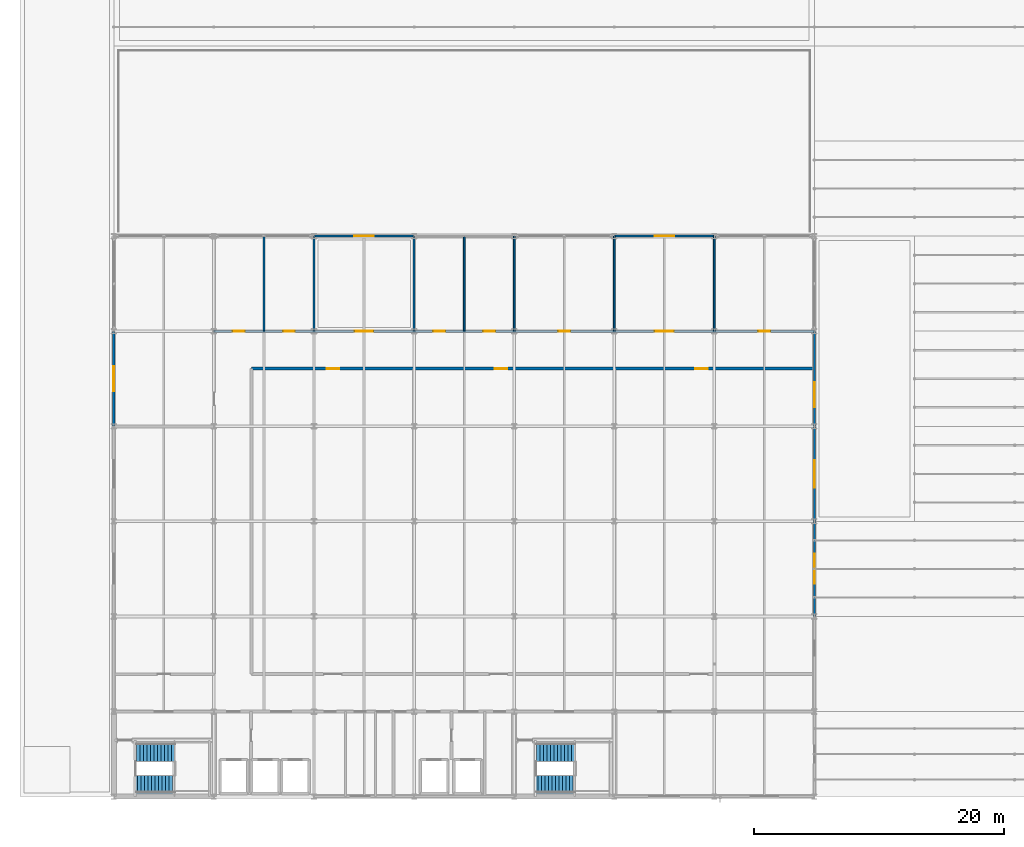
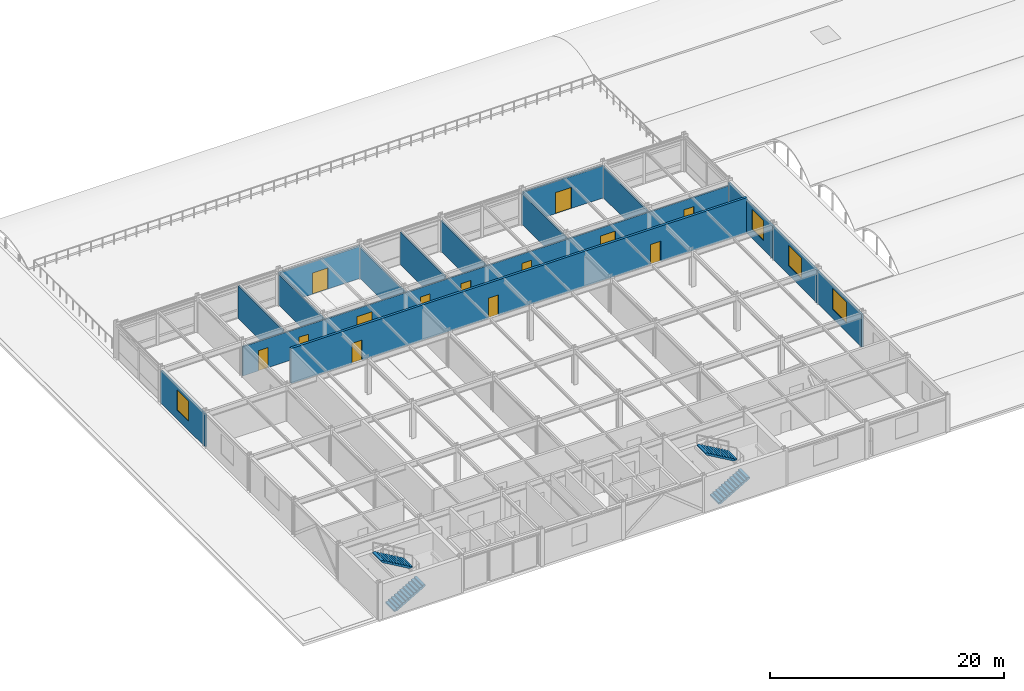
# One storey, part 42 of 46: 15 walls, 13 doors, 4 stair flights, 4 windows, 17 openings, 2 elements without a shape of their own.
"""IFC4 building model written with IfcOpenShell, lengths in metres."""

from ifc_helpers import new_model, si_unit, direction, frame, frame_2d, origin, place, context, subcontext, project, spatial, polyline, rectangle, outline, extrude, material, layer, layer_set, type_object, element, fill, aggregate, save


model = new_model("IFC4")

# Units and contexts
model_context = context("Model", 3, precision=1e-05, world=origin(), true_north=direction((0.0, 1.0)))
body_context = subcontext(model_context, "Body", "Model", "MODEL_VIEW")
ifc_project = project(units=[si_unit("LENGTHUNIT", "METRE"), si_unit("AREAUNIT", "SQUARE_METRE"), si_unit("VOLUMEUNIT", "CUBIC_METRE"), si_unit("PLANEANGLEUNIT", "RADIAN"), si_unit("MASSUNIT", "GRAM", prefix="KILO")], contexts=[model_context])

# Site, building, storey
site_placement = place(None, origin())
site = spatial("IfcSite", under=ifc_project, at=site_placement, CompositionType="ELEMENT")
building_placement = place(site_placement, origin())
building = spatial("IfcBuilding", under=site, at=building_placement, Name="Shalkamar Park Central Library", CompositionType="ELEMENT")
storey_placement = place(building_placement, frame((0.0, 0.0, 20.39990234375)))
storey = spatial("IfcBuildingStorey", under=building, at=storey_placement, Name="L05", CompositionType="ELEMENT", Elevation=20.39990234375)

# Wall, openings, doors
ifc_material_1 = material(Name="Acoustic insulated reading partition", Category="masonry")
ifc_layer_1 = layer(ifc_material_1, 0.139892578125)
ifc_layer_set_1 = layer_set([ifc_layer_1], Name="AcousticPartition_140")
wall_type_1 = type_object("IfcWallType", Name="Acoustic Partition 140", PredefinedType="PARTITIONING", material=ifc_layer_set_1)
wall_1_placement = place(storey_placement, frame((173.0, 285.60009765625, 0.0), z_axis=(0.0, 0.0, 1.0), x_axis=(1.0, 0.0, 0.0)))
wall_1 = element("IfcWall", 1, at=wall_1_placement, inside=storey, type_object=wall_type_1, Name="Interior Partition WL-INT-L05-019", PredefinedType="PARTITIONING", context=body_context, shape_type="SweptSolid", body=[
    extrude(rectangle(XDim=48.0, YDim=0.139892578125, at=frame_2d((24.0, 0.0))), origin(), (0.0, 0.0, 1.0), 3.05810546875),
])
opening_1_placement = place(wall_1_placement, frame((1.52490234375, 0.0, 0.0)))
opening_1 = element("IfcOpeningElement", 2, at=opening_1_placement, cuts=wall_1, Name="Opening DR-L05-021", PredefinedType="OPENING", context=body_context, shape_type="SweptSolid", body=[
    extrude(rectangle(XDim=0.949951171875, YDim=2.10009765625, at=frame_2d((0.47509765625, 1.050048828125))), frame((0.0, 0.0849609375, 0.0), z_axis=(0.0, -1.0, 0.0), x_axis=(1.0, 0.0, 0.0)), (0.0, 0.0, 1.0), 0.169677734375),
])
opening_2_placement = place(wall_1_placement, frame((5.52490234375, 0.0, 0.0)))
opening_2 = element("IfcOpeningElement", 3, at=opening_2_placement, cuts=wall_1, Name="Opening DR-L05-022", PredefinedType="OPENING", context=body_context, shape_type="SweptSolid", body=[
    extrude(rectangle(XDim=0.949951171875, YDim=2.10009765625, at=frame_2d((0.47509765625, 1.050048828125))), frame((0.0, 0.0849609375, 0.0), z_axis=(0.0, -1.0, 0.0), x_axis=(1.0, 0.0, 0.0)), (0.0, 0.0, 1.0), 0.169677734375),
])
opening_3_placement = place(wall_1_placement, frame((11.25, 0.0, 0.0)))
opening_3 = element("IfcOpeningElement", 4, at=opening_3_placement, cuts=wall_1, Name="Opening DR-L05-023", PredefinedType="OPENING", context=body_context, shape_type="SweptSolid", body=[
    extrude(rectangle(XDim=1.5, YDim=2.25, at=frame_2d((0.75, 1.125))), frame((0.0, 0.0849609375, 0.0), z_axis=(0.0, -1.0, 0.0), x_axis=(1.0, 0.0, 0.0)), (0.0, 0.0, 1.0), 0.169677734375),
])
opening_4_placement = place(wall_1_placement, frame((17.52490234375, 0.0, 0.0)))
opening_4 = element("IfcOpeningElement", 5, at=opening_4_placement, cuts=wall_1, Name="Opening DR-L05-024", PredefinedType="OPENING", context=body_context, shape_type="SweptSolid", body=[
    extrude(rectangle(XDim=0.949951171875, YDim=2.10009765625, at=frame_2d((0.47509765625, 1.050048828125))), frame((0.0, 0.0849609375, 0.0), z_axis=(0.0, -1.0, 0.0), x_axis=(1.0, 0.0, 0.0)), (0.0, 0.0, 1.0), 0.169677734375),
])
opening_5_placement = place(wall_1_placement, frame((21.52490234375, 0.0, 0.0)))
opening_5 = element("IfcOpeningElement", 6, at=opening_5_placement, cuts=wall_1, Name="Opening DR-L05-025", PredefinedType="OPENING", context=body_context, shape_type="SweptSolid", body=[
    extrude(rectangle(XDim=0.949951171875, YDim=2.10009765625, at=frame_2d((0.47509765625, 1.050048828125))), frame((0.0, 0.0849609375, 0.0), z_axis=(0.0, -1.0, 0.0), x_axis=(1.0, 0.0, 0.0)), (0.0, 0.0, 1.0), 0.169677734375),
])
opening_6_placement = place(wall_1_placement, frame((27.52490234375, 0.0, 0.0)))
opening_6 = element("IfcOpeningElement", 7, at=opening_6_placement, cuts=wall_1, Name="Opening DR-L05-026", PredefinedType="OPENING", context=body_context, shape_type="SweptSolid", body=[
    extrude(rectangle(XDim=0.949951171875, YDim=2.10009765625, at=frame_2d((0.47509765625, 1.050048828125))), frame((0.0, 0.0849609375, 0.0), z_axis=(0.0, -1.0, 0.0), x_axis=(1.0, 0.0, 0.0)), (0.0, 0.0, 1.0), 0.169677734375),
])
opening_7_placement = place(wall_1_placement, frame((35.25, 0.0, 0.0)))
opening_7 = element("IfcOpeningElement", 8, at=opening_7_placement, cuts=wall_1, Name="Opening DR-L05-027", PredefinedType="OPENING", context=body_context, shape_type="SweptSolid", body=[
    extrude(rectangle(XDim=1.5, YDim=2.25, at=frame_2d((0.75, 1.125))), frame((0.0, 0.0849609375, 0.0), z_axis=(0.0, -1.0, 0.0), x_axis=(1.0, 0.0, 0.0)), (0.0, 0.0, 1.0), 0.169677734375),
])
opening_8_placement = place(wall_1_placement, frame((43.52490234375, 0.0, 0.0)))
opening_8 = element("IfcOpeningElement", 9, at=opening_8_placement, cuts=wall_1, Name="Opening DR-L05-028", PredefinedType="OPENING", context=body_context, shape_type="SweptSolid", body=[
    extrude(rectangle(XDim=0.949951171875, YDim=2.10009765625, at=frame_2d((0.47509765625, 1.050048828125))), frame((0.0, 0.0849609375, 0.0), z_axis=(0.0, -1.0, 0.0), x_axis=(1.0, 0.0, 0.0)), (0.0, 0.0, 1.0), 0.169677734375),
])
ifc_material_2 = material(Name="Steel S355", Category="steel")
door_type_1 = type_object("IfcDoorType", Name="Interior Door Double 1500x2250", OperationType="DOUBLE_DOOR_SINGLE_SWING", PredefinedType="DOOR", material=ifc_material_2)
door_1_placement = place(opening_3_placement, origin())
door_1 = element("IfcDoor", 10, at=door_1_placement, inside=storey, type_object=door_type_1, Name="L05 Park View Reading Lounge West Door", OperationType="DOUBLE_DOOR_SINGLE_SWING", OverallHeight=2.25, OverallWidth=1.5, PredefinedType="DOOR", context=body_context, shape_type="SweptSolid", body=[
    extrude(rectangle(XDim=1.5, YDim=2.25, at=frame_2d((0.75, 1.125))), frame((0.0, 0.02490234375, 0.0), z_axis=(0.0, -1.0, 0.0), x_axis=(1.0, 0.0, 0.0)), (0.0, 0.0, 1.0), 0.050048828125),
])
fill(opening_3, door_1)
door_2_placement = place(opening_7_placement, origin())
door_2 = element("IfcDoor", 11, at=door_2_placement, inside=storey, type_object=door_type_1, Name="L05 Park View Reading Lounge East Door", OperationType="DOUBLE_DOOR_SINGLE_SWING", OverallHeight=2.25, OverallWidth=1.5, PredefinedType="DOOR", context=body_context, shape_type="SweptSolid", body=[
    extrude(rectangle(XDim=1.5, YDim=2.25, at=frame_2d((0.75, 1.125))), frame((0.0, 0.02490234375, 0.0), z_axis=(0.0, -1.0, 0.0), x_axis=(1.0, 0.0, 0.0)), (0.0, 0.0, 1.0), 0.050048828125),
])
fill(opening_7, door_2)
door_type_2 = type_object("IfcDoorType", Name="Interior Door Single 950x2100", OperationType="NOTDEFINED", PredefinedType="DOOR", material=ifc_material_2)
door_3_placement = place(opening_1_placement, origin())
door_3 = element("IfcDoor", 12, at=door_3_placement, inside=storey, type_object=door_type_2, Name="L05 Carrel Study 1 Door", OperationType="SINGLE_SWING_LEFT", OverallHeight=2.10009765625, OverallWidth=0.949951171875, PredefinedType="DOOR", context=body_context, shape_type="SweptSolid", body=[
    extrude(rectangle(XDim=0.949951171875, YDim=2.10009765625, at=frame_2d((0.47509765625, 1.050048828125))), frame((0.0, 0.02490234375, 0.0), z_axis=(0.0, -1.0, 0.0), x_axis=(1.0, 0.0, 0.0)), (0.0, 0.0, 1.0), 0.050048828125),
])
fill(opening_1, door_3)
door_4_placement = place(opening_2_placement, origin())
door_4 = element("IfcDoor", 13, at=door_4_placement, inside=storey, type_object=door_type_2, Name="L05 Carrel Study 2 Door", OperationType="SINGLE_SWING_LEFT", OverallHeight=2.10009765625, OverallWidth=0.949951171875, PredefinedType="DOOR", context=body_context, shape_type="SweptSolid", body=[
    extrude(rectangle(XDim=0.949951171875, YDim=2.10009765625, at=frame_2d((0.47509765625, 1.050048828125))), frame((0.0, 0.02490234375, 0.0), z_axis=(0.0, -1.0, 0.0), x_axis=(1.0, 0.0, 0.0)), (0.0, 0.0, 1.0), 0.050048828125),
])
fill(opening_2, door_4)
door_5_placement = place(opening_4_placement, origin())
door_5 = element("IfcDoor", 14, at=door_5_placement, inside=storey, type_object=door_type_2, Name="L05 Carrel Study 3 Door", OperationType="SINGLE_SWING_LEFT", OverallHeight=2.10009765625, OverallWidth=0.949951171875, PredefinedType="DOOR", context=body_context, shape_type="SweptSolid", body=[
    extrude(rectangle(XDim=0.949951171875, YDim=2.10009765625, at=frame_2d((0.47509765625, 1.050048828125))), frame((0.0, 0.02490234375, 0.0), z_axis=(0.0, -1.0, 0.0), x_axis=(1.0, 0.0, 0.0)), (0.0, 0.0, 1.0), 0.050048828125),
])
fill(opening_4, door_5)
door_6_placement = place(opening_5_placement, origin())
door_6 = element("IfcDoor", 15, at=door_6_placement, inside=storey, type_object=door_type_2, Name="L05 Carrel Study 4 Door", OperationType="SINGLE_SWING_LEFT", OverallHeight=2.10009765625, OverallWidth=0.949951171875, PredefinedType="DOOR", context=body_context, shape_type="SweptSolid", body=[
    extrude(rectangle(XDim=0.949951171875, YDim=2.10009765625, at=frame_2d((0.47509765625, 1.050048828125))), frame((0.0, 0.02490234375, 0.0), z_axis=(0.0, -1.0, 0.0), x_axis=(1.0, 0.0, 0.0)), (0.0, 0.0, 1.0), 0.050048828125),
])
fill(opening_5, door_6)
door_7_placement = place(opening_6_placement, origin())
door_7 = element("IfcDoor", 16, at=door_7_placement, inside=storey, type_object=door_type_2, Name="L05 Carrel Study 5 Door", OperationType="SINGLE_SWING_RIGHT", OverallHeight=2.10009765625, OverallWidth=0.949951171875, PredefinedType="DOOR", context=body_context, shape_type="SweptSolid", body=[
    extrude(rectangle(XDim=0.949951171875, YDim=2.10009765625, at=frame_2d((0.47509765625, 1.050048828125))), frame((0.0, 0.02490234375, 0.0), z_axis=(0.0, -1.0, 0.0), x_axis=(1.0, 0.0, 0.0)), (0.0, 0.0, 1.0), 0.050048828125),
])
fill(opening_6, door_7)
door_8_placement = place(opening_8_placement, origin())
door_8 = element("IfcDoor", 17, at=door_8_placement, inside=storey, type_object=door_type_2, Name="L05 Seminar Room Door", OperationType="SINGLE_SWING_RIGHT", OverallHeight=2.10009765625, OverallWidth=0.949951171875, PredefinedType="DOOR", context=body_context, shape_type="SweptSolid", body=[
    extrude(rectangle(XDim=0.949951171875, YDim=2.10009765625, at=frame_2d((0.47509765625, 1.050048828125))), frame((0.0, 0.02490234375, 0.0), z_axis=(0.0, -1.0, 0.0), x_axis=(1.0, 0.0, 0.0)), (0.0, 0.0, 1.0), 0.050048828125),
])
fill(opening_8, door_8)

# Walls
wall_2_placement = place(storey_placement, frame((177.0, 285.60009765625, 0.0), z_axis=(0.0, 0.0, 1.0), x_axis=(0.0, 1.0, 0.0)))
element("IfcWall", 18, at=wall_2_placement, inside=storey, type_object=wall_type_1, Name="Interior Partition WL-INT-L05-020", PredefinedType="PARTITIONING", context=body_context, shape_type="SweptSolid", body=[
    extrude(rectangle(XDim=7.599853515625, YDim=0.139892578125, at=frame_2d((3.7998046875, 0.0))), origin(), (0.0, 0.0, 1.0), 3.38818359375),
])
for number, where, z_axis, x_axis, name in (
    (19, (181.0, 285.60009765625, 0.0), (0.0, 0.0, 1.0), (0.0, 1.0, 0.0), "Interior Partition WL-INT-L05-021"),
    (20, (189.0, 285.60009765625, 0.0), (0.0, 0.0, 1.0), (0.0, 1.0, 0.0), "Interior Partition WL-INT-L05-022"),
):
    element("IfcWall", number, at=place(storey_placement, frame(where, z_axis=z_axis, x_axis=x_axis)), inside=storey, type_object=wall_type_1, Name=name, PredefinedType="PARTITIONING", context=body_context, shape_type="SweptSolid", body=[
        extrude(rectangle(XDim=7.599853515625, YDim=0.139892578125, at=frame_2d((3.7998046875, 0.0))), origin(), (0.0, 0.0, 1.0), 3.2080078125),
    ])
wall_3_placement = place(storey_placement, frame((193.0, 285.60009765625, 0.0), z_axis=(0.0, 0.0, 1.0), x_axis=(0.0, 1.0, 0.0)))
element("IfcWall", 21, at=wall_3_placement, inside=storey, type_object=wall_type_1, Name="Interior Partition WL-INT-L05-023", PredefinedType="PARTITIONING", context=body_context, shape_type="SweptSolid", body=[
    extrude(rectangle(XDim=7.599853515625, YDim=0.139892578125, at=frame_2d((3.7998046875, 0.0))), origin(), (0.0, 0.0, 1.0), 3.38818359375),
])
for number, where, z_axis, x_axis, name in (
    (22, (197.0, 285.60009765625, 0.0), (0.0, 0.0, 1.0), (0.0, 1.0, 0.0), "Interior Partition WL-INT-L05-024"),
    (23, (205.0, 285.60009765625, 0.0), (0.0, 0.0, 1.0), (0.0, 1.0, 0.0), "Interior Partition WL-INT-L05-025"),
    (24, (213.0, 285.60009765625, 0.0), (0.0, 0.0, 1.0), (0.0, 1.0, 0.0), "Interior Partition WL-INT-L05-026"),
):
    element("IfcWall", number, at=place(storey_placement, frame(where, z_axis=z_axis, x_axis=x_axis)), inside=storey, type_object=wall_type_1, Name=name, PredefinedType="PARTITIONING", context=body_context, shape_type="SweptSolid", body=[
        extrude(rectangle(XDim=7.599853515625, YDim=0.139892578125, at=frame_2d((3.7998046875, 0.0))), origin(), (0.0, 0.0, 1.0), 3.2080078125),
    ])

# Wall, openings, doors
ifc_material_3 = material(Name="Reinforced fire-compartment masonry wall", Category="masonry")
ifc_layer_2 = layer(ifc_material_3, 0.239990234375)
ifc_layer_set_2 = layer_set([ifc_layer_2], Name="CompartmentWall_240")
wall_type_2 = type_object("IfcWallType", Name="Compartment Wall 240", PredefinedType="PARTITIONING", material=ifc_layer_set_2)
wall_4_placement = place(storey_placement, frame((176.0, 282.60009765625, 0.0), z_axis=(0.0, 0.0, 1.0), x_axis=(1.0, 0.0, 0.0)))
wall_4 = element("IfcWall", 25, at=wall_4_placement, inside=storey, type_object=wall_type_2, Name="Interior Partition WL-INT-L05-016", PredefinedType="PARTITIONING", context=body_context, shape_type="SweptSolid", body=[
    extrude(rectangle(XDim=45.0, YDim=0.239990234375, at=frame_2d((22.5, 0.0))), origin(), (0.0, 0.0, 1.0), 3.66015625),
])
opening_9_placement = place(wall_4_placement, frame((6.0, 0.0, 0.0)))
opening_9 = element("IfcOpeningElement", 26, at=opening_9_placement, cuts=wall_4, Name="Opening DR-L05-018", PredefinedType="OPENING", context=body_context, shape_type="SweptSolid", body=[
    extrude(rectangle(XDim=1.0, YDim=2.10009765625, at=frame_2d((0.5, 1.050048828125))), frame((0.0, 0.134765625, 0.0), z_axis=(0.0, -1.0, 0.0), x_axis=(1.0, 0.0, 0.0)), (0.0, 0.0, 1.0), 0.269775390625),
])
opening_10_placement = place(wall_4_placement, frame((19.4599609375, 0.0, 0.0)))
opening_10 = element("IfcOpeningElement", 27, at=opening_10_placement, cuts=wall_4, Name="Opening DR-L05-019", PredefinedType="OPENING", context=body_context, shape_type="SweptSolid", body=[
    extrude(rectangle(XDim=1.0, YDim=2.10009765625, at=frame_2d((0.5, 1.050048828125))), frame((0.0, 0.134765625, 0.0), z_axis=(0.0, -1.0, 0.0), x_axis=(1.0, 0.0, 0.0)), (0.0, 0.0, 1.0), 0.269775390625),
])
opening_11_placement = place(wall_4_placement, frame((35.4599609375, 0.0, 0.0)))
opening_11 = element("IfcOpeningElement", 28, at=opening_11_placement, cuts=wall_4, Name="Opening DR-L05-020", PredefinedType="OPENING", context=body_context, shape_type="SweptSolid", body=[
    extrude(rectangle(XDim=1.0, YDim=2.10009765625, at=frame_2d((0.5, 1.050048828125))), frame((0.0, 0.134765625, 0.0), z_axis=(0.0, -1.0, 0.0), x_axis=(1.0, 0.0, 0.0)), (0.0, 0.0, 1.0), 0.269775390625),
])
door_type_3 = type_object("IfcDoorType", Name="Fire Door Single 1000x2100", OperationType="NOTDEFINED", PredefinedType="DOOR", material=ifc_material_2)
door_9_placement = place(opening_9_placement, frame((1.0, 0.0, 0.0), z_axis=(0.0, 0.0, 1.0), x_axis=(-1.0, 0.0, 0.0)))
door_9 = element("IfcDoor", 29, at=door_9_placement, inside=storey, type_object=door_type_3, Name="L05 Stacks A North Escape Door", OperationType="SINGLE_SWING_RIGHT", OverallHeight=2.10009765625, OverallWidth=1.0, PredefinedType="DOOR", context=body_context, shape_type="SweptSolid", body=[
    extrude(rectangle(XDim=1.0, YDim=2.10009765625, at=frame_2d((0.5, 1.050048828125))), frame((0.0, 0.02490234375, 0.0), z_axis=(0.0, -1.0, 0.0), x_axis=(1.0, 0.0, 0.0)), (0.0, 0.0, 1.0), 0.050048828125),
])
fill(opening_9, door_9)
door_10_placement = place(opening_10_placement, frame((1.0, 0.0, 0.0), z_axis=(0.0, 0.0, 1.0), x_axis=(-1.0, 0.0, 0.0)))
door_10 = element("IfcDoor", 30, at=door_10_placement, inside=storey, type_object=door_type_3, Name="L05 Stacks B North Escape Door", OperationType="SINGLE_SWING_RIGHT", OverallHeight=2.10009765625, OverallWidth=1.0, PredefinedType="DOOR", context=body_context, shape_type="SweptSolid", body=[
    extrude(rectangle(XDim=1.0, YDim=2.10009765625, at=frame_2d((0.5, 1.050048828125))), frame((0.0, 0.02490234375, 0.0), z_axis=(0.0, -1.0, 0.0), x_axis=(1.0, 0.0, 0.0)), (0.0, 0.0, 1.0), 0.050048828125),
])
fill(opening_10, door_10)
door_11_placement = place(opening_11_placement, frame((1.0, 0.0, 0.0), z_axis=(0.0, 0.0, 1.0), x_axis=(-1.0, 0.0, 0.0)))
door_11 = element("IfcDoor", 31, at=door_11_placement, inside=storey, type_object=door_type_3, Name="L05 Stacks C North Escape Door", OperationType="SINGLE_SWING_LEFT", OverallHeight=2.10009765625, OverallWidth=1.0, PredefinedType="DOOR", context=body_context, shape_type="SweptSolid", body=[
    extrude(rectangle(XDim=1.0, YDim=2.10009765625, at=frame_2d((0.5, 1.050048828125))), frame((0.0, 0.02490234375, 0.0), z_axis=(0.0, -1.0, 0.0), x_axis=(1.0, 0.0, 0.0)), (0.0, 0.0, 1.0), 0.050048828125),
])
fill(opening_11, door_11)

# Wall, opening, door
ifc_material_4 = material(Name="Terracotta insulated wall panel", Category="masonry")
ifc_layer_3 = layer(ifc_material_4, 0.179931640625)
ifc_layer_set_3 = layer_set([ifc_layer_3], Name="TowerSpandrelWall_180")
wall_type_3 = type_object("IfcWallType", Name="Tower Spandrel Wall 180", PredefinedType="SOLIDWALL", material=ifc_layer_set_3)
wall_5_placement = place(storey_placement, frame((181.006103515625, 293.199951171875, 0.0), z_axis=(0.0, 0.0, 1.0), x_axis=(1.0, 0.0, 0.0)))
wall_5 = element("IfcWall", 32, at=wall_5_placement, inside=storey, type_object=wall_type_3, Name="Exterior Facade Wall WL-EXT-L05-132", PredefinedType="SOLIDWALL", context=body_context, shape_type="SweptSolid", body=[
    extrude(rectangle(XDim=7.98779296875, YDim=0.179931640625, at=frame_2d((3.993896484375, 0.0))), origin(), (0.0, 0.0, 1.0), 3.34814453125),
])
opening_12_placement = place(wall_5_placement, frame((3.218994140625, 0.0, 0.0)))
opening_12 = element("IfcOpeningElement", 33, at=opening_12_placement, cuts=wall_5, Name="Opening ED-L05-039", PredefinedType="OPENING", context=body_context, shape_type="SweptSolid", body=[
    extrude(rectangle(XDim=1.550048828125, YDim=2.199951171875, at=frame_2d((0.77490234375, 1.10009765625))), frame((0.0, 0.10498046875, 0.0), z_axis=(0.0, -1.0, 0.0), x_axis=(1.0, 0.0, 0.0)), (0.0, 0.0, 1.0), 0.209716796875),
])
ifc_material_5 = material(Name="Thermally broken insulated aluminium and glazed door", Category="aluminium")
door_type_4 = type_object("IfcDoorType", Name="Setback Terrace Door 1550x2200", OperationType="DOUBLE_DOOR_SINGLE_SWING", PredefinedType="DOOR", material=ifc_material_5)
door_12_placement = place(opening_12_placement, origin())
door_12 = element("IfcDoor", 34, at=door_12_placement, inside=storey, type_object=door_type_4, Name="L05 Podium Roof Garden Door 09", OperationType="DOUBLE_DOOR_SINGLE_SWING", OverallHeight=2.199951171875, OverallWidth=1.550048828125, PredefinedType="DOOR", context=body_context, shape_type="SweptSolid", body=[
    extrude(rectangle(XDim=1.550048828125, YDim=2.199951171875, at=frame_2d((0.77490234375, 1.10009765625))), frame((0.0, 0.02490234375, 0.0), z_axis=(0.0, -1.0, 0.0), x_axis=(1.0, 0.0, 0.0)), (0.0, 0.0, 1.0), 0.050048828125),
])
fill(opening_12, door_12)

wall_6_placement = place(storey_placement, frame((205.006103515625, 293.199951171875, 0.0), z_axis=(0.0, 0.0, 1.0), x_axis=(1.0, 0.0, 0.0)))
wall_6 = element("IfcWall", 35, at=wall_6_placement, inside=storey, type_object=wall_type_3, Name="Exterior Facade Wall WL-EXT-L05-133", PredefinedType="SOLIDWALL", context=body_context, shape_type="SweptSolid", body=[
    extrude(rectangle(XDim=7.98779296875, YDim=0.179931640625, at=frame_2d((3.993896484375, 0.0))), origin(), (0.0, 0.0, 1.0), 3.34814453125),
])
opening_13_placement = place(wall_6_placement, frame((3.218994140625, 0.0, 0.0)))
opening_13 = element("IfcOpeningElement", 36, at=opening_13_placement, cuts=wall_6, Name="Opening ED-L05-040", PredefinedType="OPENING", context=body_context, shape_type="SweptSolid", body=[
    extrude(rectangle(XDim=1.550048828125, YDim=2.199951171875, at=frame_2d((0.77490234375, 1.10009765625))), frame((0.0, 0.10498046875, 0.0), z_axis=(0.0, -1.0, 0.0), x_axis=(1.0, 0.0, 0.0)), (0.0, 0.0, 1.0), 0.209716796875),
])
door_13_placement = place(opening_13_placement, origin())
door_13 = element("IfcDoor", 37, at=door_13_placement, inside=storey, type_object=door_type_4, Name="L05 Podium Roof Garden Door 12", OperationType="DOUBLE_DOOR_SINGLE_SWING", OverallHeight=2.199951171875, OverallWidth=1.550048828125, PredefinedType="DOOR", context=body_context, shape_type="SweptSolid", body=[
    extrude(rectangle(XDim=1.550048828125, YDim=2.199951171875, at=frame_2d((0.77490234375, 1.10009765625))), frame((0.0, 0.02490234375, 0.0), z_axis=(0.0, -1.0, 0.0), x_axis=(1.0, 0.0, 0.0)), (0.0, 0.0, 1.0), 0.050048828125),
])
fill(opening_13, door_13)

# Wall, opening, window
wall_7_placement = place(storey_placement, frame((165.0, 278.006103515625, 0.0), z_axis=(0.0, 0.0, 1.0), x_axis=(0.0, 1.0, 0.0)))
wall_7 = element("IfcWall", 38, at=wall_7_placement, inside=storey, type_object=wall_type_3, Name="Exterior Facade Wall WL-EXT-L05-137", PredefinedType="SOLIDWALL", context=body_context, shape_type="SweptSolid", body=[
    extrude(rectangle(XDim=7.587890625, YDim=0.179931640625, at=frame_2d((3.7939453125, 0.0))), origin(), (0.0, 0.0, 1.0), 3.38818359375),
])
opening_14_placement = place(wall_7_placement, frame((2.7939453125, 0.0, 0.949951171875)))
opening_14 = element("IfcOpeningElement", 39, at=opening_14_placement, cuts=wall_7, Name="Opening WN-11", PredefinedType="OPENING", context=body_context, shape_type="SweptSolid", body=[
    extrude(rectangle(XDim=2.0, YDim=2.10009765625, at=frame_2d((1.0, 1.050048828125))), frame((0.0, 0.10498046875, 0.0), z_axis=(0.0, -1.0, 0.0), x_axis=(1.0, 0.0, 0.0)), (0.0, 0.0, 1.0), 0.209716796875),
])
ifc_material_6 = material(Name="Thermally broken aluminium and triple low-e glass", Category="glass")
window_type_1 = type_object("IfcWindowType", Name="Tower Window 2000x2100", PartitioningType="DOUBLE_PANEL_VERTICAL", PredefinedType="WINDOW", material=ifc_material_6)
window_1_placement = place(opening_14_placement, origin())
window_1 = element("IfcWindow", 40, at=window_1_placement, inside=storey, type_object=window_type_1, Name="Facade Window WN-L05-090", OverallHeight=2.10009765625, OverallWidth=2.0, PartitioningType="DOUBLE_PANEL_VERTICAL", PredefinedType="WINDOW", context=body_context, shape_type="SweptSolid", body=[
    extrude(rectangle(XDim=2.0, YDim=2.10009765625, at=frame_2d((1.0, 1.050048828125))), frame((0.0, 0.030029296875, 0.0), z_axis=(0.0, -1.0, 0.0), x_axis=(1.0, 0.0, 0.0)), (0.0, 0.0, 1.0), 0.06005859375),
])
fill(opening_14, window_1)

wall_8_placement = place(storey_placement, frame((221.0, 262.805908203125, 0.0), z_axis=(0.0, 0.0, 1.0), x_axis=(0.0, 1.0, 0.0)))
wall_8 = element("IfcWall", 41, at=wall_8_placement, inside=storey, type_object=wall_type_3, Name="Exterior Facade Wall WL-EXT-L05-140", PredefinedType="SOLIDWALL", context=body_context, shape_type="SweptSolid", body=[
    extrude(rectangle(XDim=7.588134765625, YDim=0.179931640625, at=frame_2d((3.7939453125, 0.0))), origin(), (0.0, 0.0, 1.0), 3.38818359375),
])
opening_15_placement = place(wall_8_placement, frame((2.593994140625, 0.0, 0.949951171875)))
opening_15 = element("IfcOpeningElement", 42, at=opening_15_placement, cuts=wall_8, Name="Opening WN-09", PredefinedType="OPENING", context=body_context, shape_type="SweptSolid", body=[
    extrude(rectangle(XDim=2.39990234375, YDim=2.199951171875, at=frame_2d((1.199951171875, 1.10009765625))), frame((0.0, 0.10498046875, 0.0), z_axis=(0.0, -1.0, 0.0), x_axis=(1.0, 0.0, 0.0)), (0.0, 0.0, 1.0), 0.209716796875),
])
window_type_2 = type_object("IfcWindowType", Name="Tower Window 2400x2200", PartitioningType="DOUBLE_PANEL_VERTICAL", PredefinedType="WINDOW", material=ifc_material_6)
window_2_placement = place(opening_15_placement, origin())
window_2 = element("IfcWindow", 43, at=window_2_placement, inside=storey, type_object=window_type_2, Name="Facade Window WN-L05-093", OverallHeight=2.199951171875, OverallWidth=2.39990234375, PartitioningType="DOUBLE_PANEL_VERTICAL", PredefinedType="WINDOW", context=body_context, shape_type="SweptSolid", body=[
    extrude(rectangle(XDim=2.39990234375, YDim=2.199951171875, at=frame_2d((1.199951171875, 1.10009765625))), frame((0.0, 0.030029296875, 0.0), z_axis=(0.0, -1.0, 0.0), x_axis=(1.0, 0.0, 0.0)), (0.0, 0.0, 1.0), 0.06005859375),
])
fill(opening_15, window_2)

wall_9_placement = place(storey_placement, frame((221.0, 270.406005859375, 0.0), z_axis=(0.0, 0.0, 1.0), x_axis=(0.0, 1.0, 0.0)))
wall_9 = element("IfcWall", 44, at=wall_9_placement, inside=storey, type_object=wall_type_3, Name="Exterior Facade Wall WL-EXT-L05-141", PredefinedType="SOLIDWALL", context=body_context, shape_type="SweptSolid", body=[
    extrude(rectangle(XDim=7.587890625, YDim=0.179931640625, at=frame_2d((3.7939453125, 0.0))), origin(), (0.0, 0.0, 1.0), 3.38818359375),
])
opening_16_placement = place(wall_9_placement, frame((2.694091796875, 0.0, 0.949951171875)))
opening_16 = element("IfcOpeningElement", 45, at=opening_16_placement, cuts=wall_9, Name="Opening WN-10", PredefinedType="OPENING", context=body_context, shape_type="SweptSolid", body=[
    extrude(rectangle(XDim=2.199951171875, YDim=2.10009765625, at=frame_2d((1.10009765625, 1.050048828125))), frame((0.0, 0.10498046875, 0.0), z_axis=(0.0, -1.0, 0.0), x_axis=(1.0, 0.0, 0.0)), (0.0, 0.0, 1.0), 0.209716796875),
])
window_type_3 = type_object("IfcWindowType", Name="Tower Window 2200x2100", PartitioningType="DOUBLE_PANEL_VERTICAL", PredefinedType="WINDOW", material=ifc_material_6)
window_3_placement = place(opening_16_placement, origin())
window_3 = element("IfcWindow", 46, at=window_3_placement, inside=storey, type_object=window_type_3, Name="Facade Window WN-L05-094", OverallHeight=2.10009765625, OverallWidth=2.199951171875, PartitioningType="DOUBLE_PANEL_VERTICAL", PredefinedType="WINDOW", context=body_context, shape_type="SweptSolid", body=[
    extrude(rectangle(XDim=2.199951171875, YDim=2.10009765625, at=frame_2d((1.10009765625, 1.050048828125))), frame((0.0, 0.030029296875, 0.0), z_axis=(0.0, -1.0, 0.0), x_axis=(1.0, 0.0, 0.0)), (0.0, 0.0, 1.0), 0.06005859375),
])
fill(opening_16, window_3)

wall_10_placement = place(storey_placement, frame((221.0, 278.006103515625, 0.0), z_axis=(0.0, 0.0, 1.0), x_axis=(0.0, 1.0, 0.0)))
wall_10 = element("IfcWall", 47, at=wall_10_placement, inside=storey, type_object=wall_type_3, Name="Exterior Facade Wall WL-EXT-L05-142", PredefinedType="SOLIDWALL", context=body_context, shape_type="SweptSolid", body=[
    extrude(rectangle(XDim=7.587890625, YDim=0.179931640625, at=frame_2d((3.7939453125, 0.0))), origin(), (0.0, 0.0, 1.0), 3.38818359375),
])
opening_17_placement = place(wall_10_placement, frame((1.52197265625, 0.0, 0.949951171875)))
opening_17 = element("IfcOpeningElement", 48, at=opening_17_placement, cuts=wall_10, Name="Opening WN-11", PredefinedType="OPENING", context=body_context, shape_type="SweptSolid", body=[
    extrude(rectangle(XDim=2.0, YDim=2.10009765625, at=frame_2d((1.0, 1.050048828125))), frame((0.0, 0.10498046875, 0.0), z_axis=(0.0, -1.0, 0.0), x_axis=(1.0, 0.0, 0.0)), (0.0, 0.0, 1.0), 0.209716796875),
])
window_4_placement = place(opening_17_placement, origin())
window_4 = element("IfcWindow", 49, at=window_4_placement, inside=storey, type_object=window_type_1, Name="Facade Window WN-L05-095", OverallHeight=2.10009765625, OverallWidth=2.0, PartitioningType="DOUBLE_PANEL_VERTICAL", PredefinedType="WINDOW", context=body_context, shape_type="SweptSolid", body=[
    extrude(rectangle(XDim=2.0, YDim=2.10009765625, at=frame_2d((1.0, 1.050048828125))), frame((0.0, 0.030029296875, 0.0), z_axis=(0.0, -1.0, 0.0), x_axis=(1.0, 0.0, 0.0)), (0.0, 0.0, 1.0), 0.06005859375),
])
fill(opening_17, window_4)

# Stair, stair flights
ifc_material_7 = material(Name="Concrete C35/45", Category="concrete")
stair_type = type_object("IfcStairType", Name="Protected Dog Leg Stair 150x390", PredefinedType="TWO_STRAIGHT_RUN_STAIR", material=ifc_material_7)
stair_1_placement = place(storey_placement, origin())
stair_1 = element("IfcStair", 50, at=stair_1_placement, inside=storey, type_object=stair_type, Name="Protected Core Stair ST-T1-L05", PredefinedType="TWO_STRAIGHT_RUN_STAIR")
stair_flight_type = type_object("IfcStairFlightType", Name="Straight Stair Flight 150x390", PredefinedType="STRAIGHT", material=ifc_material_7)
stair_flight_1_placement = place(storey_placement, frame((166.6201171875, 249.389892578125, 0.0), z_axis=(0.0, 0.0, 1.0), x_axis=(1.0, 0.0, 0.0)))
stair_flight_1 = element("IfcStairFlight", 51, at=stair_flight_1_placement, type_object=stair_flight_type, Name="ST-T1-L05 flight 1", NumberOfRisers=12, NumberOfTreads=11, PredefinedType="STRAIGHT", RiserHeight=0.1625, TreadLength=0.28, context=body_context, shape_type="SweptSolid", body=[
    extrude(outline(polyline([(0.0, 0.0), (0.0, 0.16259765625), (0.280029296875, 0.16259765625), (0.280029296875, 0.324951171875), (0.56005859375, 0.324951171875), (0.56005859375, 0.487548828125), (0.840087890625, 0.487548828125), (0.840087890625, 0.64990234375), (1.1201171875, 0.64990234375), (1.1201171875, 0.8125), (1.39990234375, 0.8125), (1.39990234375, 0.97509765625), (1.679931640625, 0.97509765625), (1.679931640625, 1.137451171875), (1.9599609375, 1.137451171875), (1.9599609375, 1.300048828125), (2.239990234375, 1.300048828125), (2.239990234375, 1.46240234375), (2.52001953125, 1.46240234375), (2.52001953125, 1.625), (2.800048828125, 1.625), (2.800048828125, 1.78759765625), (3.080078125, 1.78759765625), (3.080078125, 1.949951171875), (3.080078125, 1.6142578125), (0.298583984375, 0.0), (0.0, 0.0)])), frame((0.0, 0.75, 0.0), z_axis=(0.0, -1.0, 0.0), x_axis=(1.0, 0.0, 0.0)), (0.0, 0.0, 1.0), 1.5),
])
stair_flight_2_placement = place(storey_placement, frame((169.8798828125, 251.909912109375, 1.9501953125), z_axis=(0.0, 0.0, 1.0), x_axis=(-1.0, 0.0, 0.0)))
stair_flight_2 = element("IfcStairFlight", 52, at=stair_flight_2_placement, type_object=stair_flight_type, Name="ST-T1-L05 flight 2", NumberOfRisers=12, NumberOfTreads=11, PredefinedType="STRAIGHT", RiserHeight=0.1625, TreadLength=0.28, context=body_context, shape_type="SweptSolid", body=[
    extrude(outline(polyline([(0.0, 0.0), (0.0, 0.16259765625), (0.280029296875, 0.16259765625), (0.280029296875, 0.324951171875), (0.56005859375, 0.324951171875), (0.56005859375, 0.487548828125), (0.840087890625, 0.487548828125), (0.840087890625, 0.64990234375), (1.1201171875, 0.64990234375), (1.1201171875, 0.8125), (1.39990234375, 0.8125), (1.39990234375, 0.97509765625), (1.679931640625, 0.97509765625), (1.679931640625, 1.137451171875), (1.9599609375, 1.137451171875), (1.9599609375, 1.300048828125), (2.239990234375, 1.300048828125), (2.239990234375, 1.46240234375), (2.52001953125, 1.46240234375), (2.52001953125, 1.625), (2.800048828125, 1.625), (2.800048828125, 1.78759765625), (3.080078125, 1.78759765625), (3.080078125, 1.949951171875), (3.080078125, 1.6142578125), (0.298583984375, 0.0), (0.0, 0.0)])), frame((0.0, 0.75, 0.0), z_axis=(0.0, -1.0, 0.0), x_axis=(1.0, 0.0, 0.0)), (0.0, 0.0, 1.0), 1.5),
])
aggregate(stair_1, [stair_flight_1, stair_flight_2])

stair_2_placement = place(storey_placement, origin())
stair_2 = element("IfcStair", 53, at=stair_2_placement, inside=storey, type_object=stair_type, Name="Protected Core Stair ST-T2-L05", PredefinedType="TWO_STRAIGHT_RUN_STAIR")
stair_flight_3_placement = place(storey_placement, frame((198.6201171875, 249.389892578125, 0.0), z_axis=(0.0, 0.0, 1.0), x_axis=(1.0, 0.0, 0.0)))
stair_flight_3 = element("IfcStairFlight", 54, at=stair_flight_3_placement, type_object=stair_flight_type, Name="ST-T2-L05 flight 1", NumberOfRisers=12, NumberOfTreads=11, PredefinedType="STRAIGHT", RiserHeight=0.1625, TreadLength=0.28, context=body_context, shape_type="SweptSolid", body=[
    extrude(outline(polyline([(0.0, 0.0), (0.0, 0.16259765625), (0.280029296875, 0.16259765625), (0.280029296875, 0.324951171875), (0.56005859375, 0.324951171875), (0.56005859375, 0.487548828125), (0.840087890625, 0.487548828125), (0.840087890625, 0.64990234375), (1.1201171875, 0.64990234375), (1.1201171875, 0.8125), (1.39990234375, 0.8125), (1.39990234375, 0.97509765625), (1.679931640625, 0.97509765625), (1.679931640625, 1.137451171875), (1.9599609375, 1.137451171875), (1.9599609375, 1.300048828125), (2.239990234375, 1.300048828125), (2.239990234375, 1.46240234375), (2.52001953125, 1.46240234375), (2.52001953125, 1.625), (2.800048828125, 1.625), (2.800048828125, 1.78759765625), (3.080078125, 1.78759765625), (3.080078125, 1.949951171875), (3.080078125, 1.6142578125), (0.298583984375, 0.0), (0.0, 0.0)])), frame((0.0, 0.75, 0.0), z_axis=(0.0, -1.0, 0.0), x_axis=(1.0, 0.0, 0.0)), (0.0, 0.0, 1.0), 1.5),
])
stair_flight_4_placement = place(storey_placement, frame((201.8798828125, 251.909912109375, 1.9501953125), z_axis=(0.0, 0.0, 1.0), x_axis=(-1.0, 0.0, 0.0)))
stair_flight_4 = element("IfcStairFlight", 55, at=stair_flight_4_placement, type_object=stair_flight_type, Name="ST-T2-L05 flight 2", NumberOfRisers=12, NumberOfTreads=11, PredefinedType="STRAIGHT", RiserHeight=0.1625, TreadLength=0.28, context=body_context, shape_type="SweptSolid", body=[
    extrude(outline(polyline([(0.0, 0.0), (0.0, 0.16259765625), (0.280029296875, 0.16259765625), (0.280029296875, 0.324951171875), (0.56005859375, 0.324951171875), (0.56005859375, 0.487548828125), (0.840087890625, 0.487548828125), (0.840087890625, 0.64990234375), (1.1201171875, 0.64990234375), (1.1201171875, 0.8125), (1.39990234375, 0.8125), (1.39990234375, 0.97509765625), (1.679931640625, 0.97509765625), (1.679931640625, 1.137451171875), (1.9599609375, 1.137451171875), (1.9599609375, 1.300048828125), (2.239990234375, 1.300048828125), (2.239990234375, 1.46240234375), (2.52001953125, 1.46240234375), (2.52001953125, 1.625), (2.800048828125, 1.625), (2.800048828125, 1.78759765625), (3.080078125, 1.78759765625), (3.080078125, 1.949951171875), (3.080078125, 1.6142578125), (0.298583984375, 0.0), (0.0, 0.0)])), frame((0.0, 0.75, 0.0), z_axis=(0.0, -1.0, 0.0), x_axis=(1.0, 0.0, 0.0)), (0.0, 0.0, 1.0), 1.5),
])
aggregate(stair_2, [stair_flight_3, stair_flight_4])

save(model, "model.ifc")
